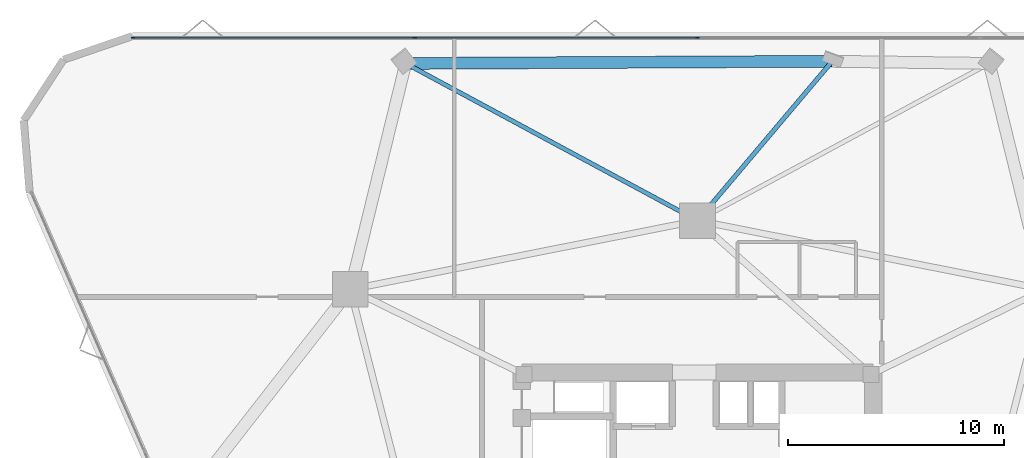
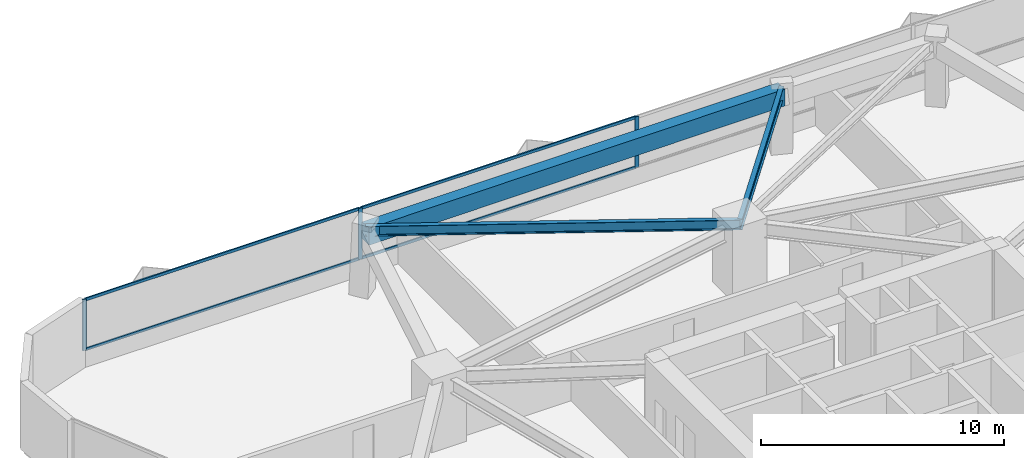
# One storey, part 10 of 17: 7 members, 3 beams, 1 element without a shape of its own.
"""IFC4 building model written with IfcOpenShell, lengths in metres."""

from ifc_helpers import new_model, si_unit, direction, frame, origin, origin_2d, place, context, subcontext, project, spatial, rectangle, i_section, extrude, material, layer, layer_set, material_profile, profile_set, type_object, element, aggregate, save


model = new_model("IFC4")

# Units and contexts
model_context = context("Model", 3, precision=1e-05, world=origin(), true_north=direction((0.0, 1.0)))
body_context = subcontext(model_context, "Body", "Model", "MODEL_VIEW")
ifc_project = project(units=[si_unit("LENGTHUNIT", "METRE"), si_unit("AREAUNIT", "SQUARE_METRE"), si_unit("VOLUMEUNIT", "CUBIC_METRE"), si_unit("PLANEANGLEUNIT", "RADIAN"), si_unit("MASSUNIT", "GRAM", prefix="KILO")], contexts=[model_context])

# Site, building, storey
site_placement = place(None, origin())
site = spatial("IfcSite", under=ifc_project, at=site_placement, CompositionType="ELEMENT")
building_placement = place(site_placement, origin())
building = spatial("IfcBuilding", under=site, at=building_placement, Name="Talyreon Biosciences Tower", CompositionType="ELEMENT")
storey_placement = place(building_placement, frame((0.0, 0.0, 93.25)))
storey = spatial("IfcBuildingStorey", under=building, at=storey_placement, Name="L24", CompositionType="ELEMENT", Elevation=93.25)

# Curtain wall, members
ifc_material_1 = material(Name="Thermally broken aluminium and low-E glazing", Category="aluminium")
ifc_layer = layer(ifc_material_1, 0.18994140625)
ifc_layer_set = layer_set([ifc_layer], Name="Thermally broken aluminium and low-E glazing")
curtain_wall_type = type_object("IfcCurtainWallType", Name="CurtainWall_Zone2Genomics", PredefinedType="NOTDEFINED", material=ifc_layer_set)
curtain_wall_placement = place(storey_placement, origin())
curtain_wall = element("IfcCurtainWall", 1, at=curtain_wall_placement, inside=storey, type_object=curtain_wall_type, Name="L24 Unitised Curtain Wall FCW-L24-04", PredefinedType="NOTDEFINED")
ifc_material_2 = material(Name="Anodised thermally broken aluminium", Category="aluminium")
ifc_material_profile_1 = material_profile(ifc_material_2, rectangle(XDim=0.06494140625, YDim=0.179931640625, at=origin_2d()), Name="ALUM MULLION 65x180")
ifc_profile_set_1 = profile_set([ifc_material_profile_1], Name="Anodised thermally broken aluminium")
member_type_1 = type_object("IfcMemberType", Name="CWMullion_65x180", PredefinedType="MULLION", material=ifc_profile_set_1)
member_1_placement = place(storey_placement, frame((39.813232421875, 90.2734375, 0.81005859375), z_axis=(0.0, 0.0, 1.0), x_axis=(0.0, 1.0, 0.0)))
member_1 = element("IfcMember", 2, at=member_1_placement, type_object=member_type_1, Name="CW3 mullion 1", PredefinedType="MULLION", context=body_context, shape_type="SweptSolid", body=[
    extrude(rectangle(XDim=0.06494140625, YDim=0.179931640625, at=origin_2d()), origin(), (0.0, 0.0, 1.0), 2.56494140625),
])
member_2_placement = place(storey_placement, frame((52.890380859375, 90.2734375, 0.81005859375), z_axis=(0.0, 0.0, 1.0), x_axis=(0.0, 1.0, 0.0)))
member_2 = element("IfcMember", 3, at=member_2_placement, type_object=member_type_1, Name="CW3 mullion 2", PredefinedType="MULLION", context=body_context, shape_type="SweptSolid", body=[
    extrude(rectangle(XDim=0.06494140625, YDim=0.179931640625, at=origin_2d()), origin(), (0.0, 0.0, 1.0), 2.56494140625),
])
member_3_placement = place(storey_placement, frame((66.0, 90.2734375, 0.81005859375), z_axis=(0.0, 0.0, 1.0), x_axis=(0.0, 1.0, 0.0)))
member_3 = element("IfcMember", 4, at=member_3_placement, type_object=member_type_1, Name="CW3 mullion 3", PredefinedType="MULLION", context=body_context, shape_type="SweptSolid", body=[
    extrude(rectangle(XDim=0.06494140625, YDim=0.179931640625, at=origin_2d()), origin(), (0.0, 0.0, 1.0), 2.56494140625),
])
ifc_material_profile_2 = material_profile(ifc_material_2, rectangle(XDim=0.06494140625, YDim=0.139892578125, at=origin_2d()), Name="ALUM TRANSOM 65x140")
ifc_profile_set_2 = profile_set([ifc_material_profile_2], Name="Anodised thermally broken aluminium")
member_type_2 = type_object("IfcMemberType", Name="CWTransom_65x140", PredefinedType="USERDEFINED", material=ifc_profile_set_2)
member_4_placement = place(storey_placement, frame((39.845703125, 90.2734375, 0.842529296875), z_axis=(1.0, 0.0, 0.0), x_axis=(0.0, 1.0, 0.0)))
member_4 = element("IfcMember", 5, at=member_4_placement, type_object=member_type_2, Name="CW3 transom 1.1", ObjectType="TRANSOM", PredefinedType="USERDEFINED", context=body_context, shape_type="SweptSolid", body=[
    extrude(rectangle(XDim=0.06494140625, YDim=0.139892578125, at=origin_2d()), origin(), (0.0, 0.0, 1.0), 13.01220703125),
])
member_5_placement = place(storey_placement, frame((39.845703125, 90.2734375, 3.342529296875), z_axis=(1.0, 0.0, 0.0), x_axis=(0.0, 1.0, 0.0)))
member_5 = element("IfcMember", 6, at=member_5_placement, type_object=member_type_2, Name="CW3 transom 1.2", ObjectType="TRANSOM", PredefinedType="USERDEFINED", context=body_context, shape_type="SweptSolid", body=[
    extrude(rectangle(XDim=0.06494140625, YDim=0.139892578125, at=origin_2d()), origin(), (0.0, 0.0, 1.0), 13.01220703125),
])
member_6_placement = place(storey_placement, frame((52.9228515625, 90.2734375, 0.842529296875), z_axis=(1.0, 0.0, 0.0), x_axis=(0.0, 1.0, 0.0)))
member_6 = element("IfcMember", 7, at=member_6_placement, type_object=member_type_2, Name="CW3 transom 2.1", ObjectType="TRANSOM", PredefinedType="USERDEFINED", context=body_context, shape_type="SweptSolid", body=[
    extrude(rectangle(XDim=0.06494140625, YDim=0.139892578125, at=origin_2d()), origin(), (0.0, 0.0, 1.0), 13.044677734375),
])
member_7_placement = place(storey_placement, frame((52.9228515625, 90.2734375, 3.342529296875), z_axis=(1.0, 0.0, 0.0), x_axis=(0.0, 1.0, 0.0)))
member_7 = element("IfcMember", 8, at=member_7_placement, type_object=member_type_2, Name="CW3 transom 2.2", ObjectType="TRANSOM", PredefinedType="USERDEFINED", context=body_context, shape_type="SweptSolid", body=[
    extrude(rectangle(XDim=0.06494140625, YDim=0.139892578125, at=origin_2d()), origin(), (0.0, 0.0, 1.0), 13.044677734375),
])
aggregate(curtain_wall, [member_1, member_2, member_3, member_4, member_5, member_6, member_7])

# Beams
ifc_material_3 = material(Name="Precast concrete C45/55", Category="concrete")
ifc_material_profile_3 = material_profile(ifc_material_3, rectangle(XDim=0.550048828125, YDim=0.85009765625, at=origin_2d()), Name="RCB 550x850")
ifc_profile_set_3 = profile_set([ifc_material_profile_3], Name="Precast concrete C45/55")
beam_type_1 = type_object("IfcBeamType", Name="ExpressedSpandrel_550x850", PredefinedType="SPANDREL", material=ifc_profile_set_3)
beam_1_placement = place(storey_placement, frame((72.247314453125, 89.18115234375, 2.949951171875), z_axis=(-0.999987262177, -0.005047324393, 0.0), x_axis=(0.005047324393, -0.999987262177, 0.0)))
element("IfcBeam", 9, at=beam_1_placement, inside=storey, type_object=beam_type_1, Name="L24 Expressed Horizontal Concrete Spandrel 07", PredefinedType="SPANDREL", context=body_context, shape_type="SweptSolid", body=[
    extrude(rectangle(XDim=0.550048828125, YDim=0.85009765625, at=origin_2d()), origin(), (0.0, 0.0, 1.0), 19.783447265625),
])
ifc_material_4 = material(Name="Steel SM355", Category="steel")
ifc_material_profile_4 = material_profile(ifc_material_4, i_section(OverallWidth=0.199951171875, OverallDepth=0.5, WebThickness=0.01025390625, FlangeThickness=0.01611328125, FilletRadius=0.02099609375, at=origin_2d()), Name="IPE500")
ifc_profile_set_4 = profile_set([ifc_material_profile_4], Name="Steel SM355")
beam_type_2 = type_object("IfcBeamType", Name="SteelJoist_IPE500", PredefinedType="JOIST", material=ifc_profile_set_4)
beam_2_placement = place(storey_placement, frame((66.0, 81.788818359375, 3.125), z_axis=(-0.880364515368, 0.474297712498, 0.0), x_axis=(-0.474297712498, -0.880364515368, 0.0)))
element("IfcBeam", 10, at=beam_2_placement, inside=storey, type_object=beam_type_2, Name="L24 Radial Composite Floor Joist PC-N2", PredefinedType="JOIST", context=body_context, shape_type="SweptSolid", body=[
    extrude(i_section(OverallWidth=0.199951171875, OverallDepth=0.5, WebThickness=0.01025390625, FlangeThickness=0.01611328125, FilletRadius=0.02099609375, at=origin_2d()), origin(), (0.0, 0.0, 1.0), 15.375244140625),
])
ifc_material_profile_5 = material_profile(ifc_material_4, i_section(OverallWidth=0.2099609375, OverallDepth=0.550048828125, WebThickness=0.010986328125, FlangeThickness=0.01708984375, FilletRadius=0.02392578125, at=origin_2d()), Name="IPE550")
ifc_profile_set_5 = profile_set([ifc_material_profile_5], Name="Steel SM355")
beam_type_3 = type_object("IfcBeamType", Name="SteelJoist_IPE550", PredefinedType="JOIST", material=ifc_profile_set_5)
beam_3_placement = place(storey_placement, frame((66.0, 81.788818359375, 3.10009765625), z_axis=(0.645476246057, 0.763780345241, 0.0), x_axis=(-0.763780345241, 0.645476246057, 0.0)))
element("IfcBeam", 11, at=beam_3_placement, inside=storey, type_object=beam_type_3, Name="L24 Radial Composite Floor Joist PL-N", PredefinedType="JOIST", context=body_context, shape_type="SweptSolid", body=[
    extrude(i_section(OverallWidth=0.2099609375, OverallDepth=0.550048828125, WebThickness=0.010986328125, FlangeThickness=0.01708984375, FilletRadius=0.02392578125, at=origin_2d()), origin(), (0.0, 0.0, 1.0), 9.6787109375),
])

save(model, "model.ifc")
